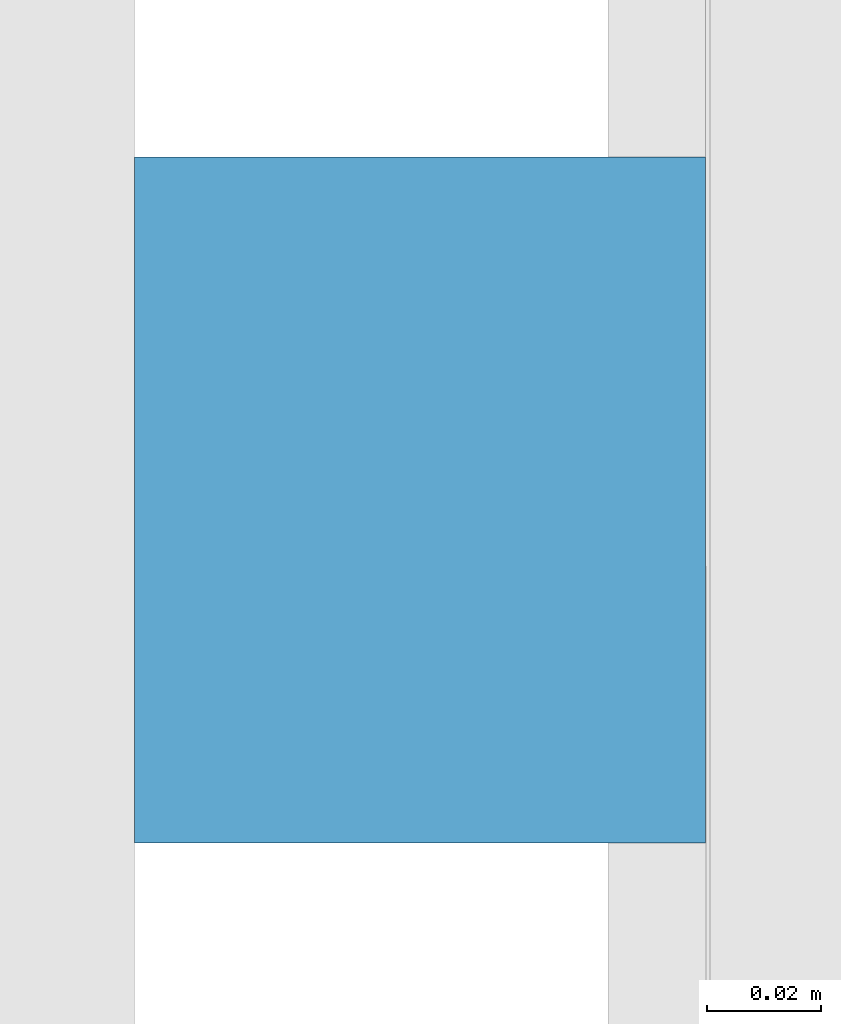
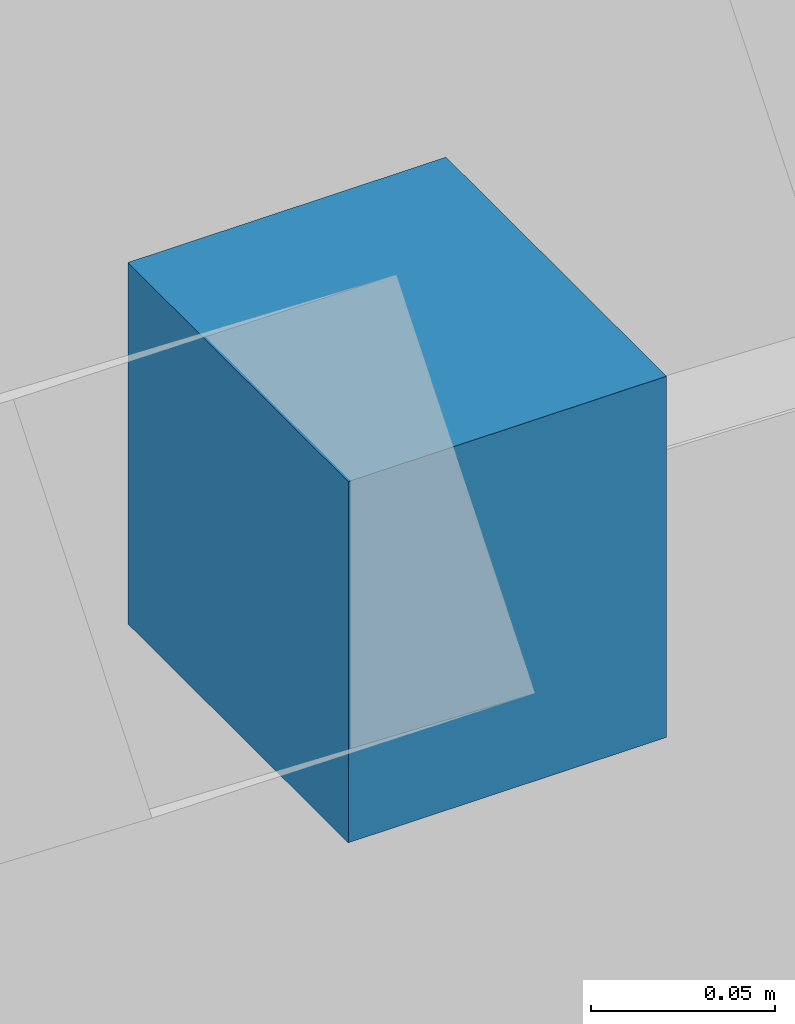
# One storey, part 24 of 27: 1 discrete accessory.
"""IFC4 building model written with IfcOpenShell, lengths in metres."""

from ifc_helpers import new_model, si_unit, direction, frame, origin, origin_2d, place, context, subcontext, project, spatial, rectangle, extrude, material, type_object, element, save


model = new_model("IFC4")

# Units and contexts
model_context = context("Model", 3, precision=1e-05, world=origin(), true_north=direction((0.0, 1.0)))
body_context = subcontext(model_context, "Body", "Model", "MODEL_VIEW")
ifc_project = project(units=[si_unit("LENGTHUNIT", "METRE"), si_unit("AREAUNIT", "SQUARE_METRE"), si_unit("VOLUMEUNIT", "CUBIC_METRE"), si_unit("PLANEANGLEUNIT", "RADIAN"), si_unit("MASSUNIT", "GRAM", prefix="KILO")], contexts=[model_context])

# Site, building, storey
site_placement = place(None, origin())
site = spatial("IfcSite", under=ifc_project, at=site_placement, CompositionType="ELEMENT")
building_placement = place(site_placement, origin())
building = spatial("IfcBuilding", under=site, at=building_placement, Name="Crosswind Convention Tower", CompositionType="ELEMENT")
storey_placement = place(building_placement, frame((0.0, 0.0, 64.60009765625)))
storey = spatial("IfcBuildingStorey", under=building, at=storey_placement, Name="L10", CompositionType="ELEMENT", Elevation=64.60009765625)

# Discrete accessory
ifc_material = material(Name="Stainless steel", Category="steel")
discrete_accessory_type = type_object("IfcDiscreteAccessoryType", Name="BAGUETTE BRACKET BK2", PredefinedType="BRACKET", material=ifc_material)
discrete_accessory_placement = place(storey_placement, frame((88.092041015625, 110.333740234375, 1.477294921875), z_axis=(0.0, 0.0, 1.0), x_axis=(0.0, -1.0, 0.0)))
element("IfcDiscreteAccessory", 1, at=discrete_accessory_placement, inside=storey, type_object=discrete_accessory_type, Name="BK2 baguette bracket", PredefinedType="BRACKET", context=body_context, shape_type="SweptSolid", body=[
    extrude(rectangle(XDim=0.1201171875, YDim=0.10009765625, at=origin_2d()), origin(), (0.0, 0.0, 1.0), 0.1201171875),
])

save(model, "model.ifc")
